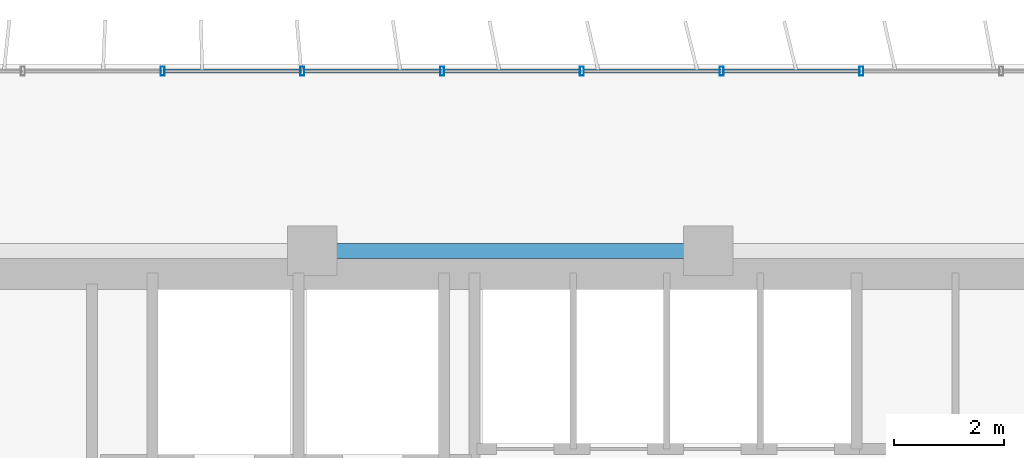
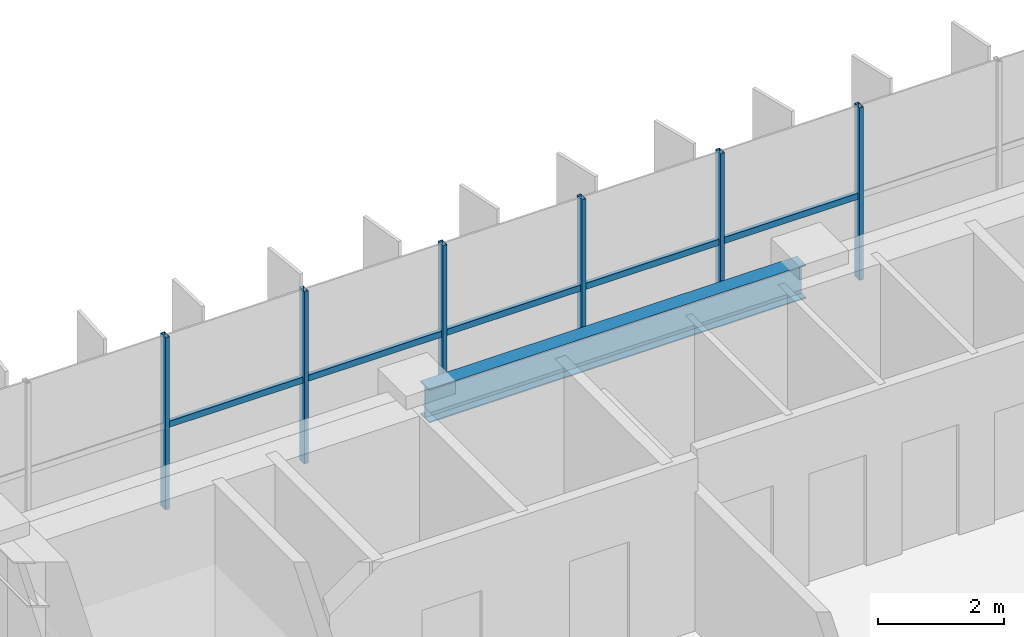
# One storey, part 7 of 23: 11 members, 1 beam, 1 element without a shape of its own.
"""IFC4 building model written with IfcOpenShell, lengths in metres."""

from ifc_helpers import new_model, si_unit, direction, frame, origin, origin_2d, place, context, subcontext, project, spatial, hollow_rectangle, i_section, extrude, source, transform, mapped, material, material_profile, profile_set, type_object, element, aggregate, save


model = new_model("IFC4")

# Units and contexts
model_context = context("Model", 3, precision=1e-05, world=origin(), true_north=direction((0.0, 1.0)))
body_context = subcontext(model_context, "Body", "Model", "MODEL_VIEW")
ifc_project = project(units=[si_unit("LENGTHUNIT", "METRE"), si_unit("AREAUNIT", "SQUARE_METRE"), si_unit("VOLUMEUNIT", "CUBIC_METRE"), si_unit("PLANEANGLEUNIT", "RADIAN"), si_unit("MASSUNIT", "GRAM", prefix="KILO")], contexts=[model_context])

# Site, building, storey
site_placement = place(None, origin())
site = spatial("IfcSite", under=ifc_project, at=site_placement, CompositionType="ELEMENT")
building_placement = place(site_placement, origin())
building = spatial("IfcBuilding", under=site, at=building_placement, Name="Trelvane Seafront Commons", CompositionType="ELEMENT")
storey_placement = place(building_placement, frame((0.0, 0.0, 63.10009765625)))
storey = spatial("IfcBuildingStorey", under=building, at=storey_placement, Name="L16", CompositionType="ELEMENT", Elevation=63.10009765625)

# Beam
ifc_material_1 = material(Name="Steel SM355 (S355)", Category="steel")
ifc_material_profile_1 = material_profile(ifc_material_1, i_section(OverallWidth=0.280029296875, OverallDepth=0.64990234375, WebThickness=0.012939453125, FlangeThickness=0.02197265625, at=origin_2d()), Name="H-650x280x13x22")
ifc_profile_set_1 = profile_set([ifc_material_profile_1], Name="Steel SM355 (S355)")
beam_type = type_object("IfcBeamType", Name="STR-BM-H650", PredefinedType="BEAM", material=ifc_profile_set_1)
shared_shape_1 = source(origin(), body_context, "Body", "SweptSolid", [
    extrude(i_section(OverallWidth=0.280029296875, OverallDepth=0.64990234375, WebThickness=0.012939453125, FlangeThickness=0.02197265625, at=origin_2d()), origin(), (0.0, 0.0, 1.0), 6.89990234375),
])
beam_placement = place(storey_placement, frame((23.550048828125, 45.10009765625, 3.014892578125), z_axis=(1.0, 0.0, 0.0), x_axis=(0.0, 1.0, 0.0)))
element("IfcBeam", 1, at=beam_placement, inside=storey, type_object=beam_type, Name="L16 Primary Girder G-31", PredefinedType="BEAM", context=body_context, shape_type="MappedRepresentation", body=[
    mapped(shared_shape_1, transform((0.0, 0.0, 0.0), x_axis=(1.0, 0.0, 0.0), y_axis=(0.0, 1.0, 0.0), z_axis=(0.0, 0.0, 1.0), scale=1.0)),
])

# Curtain wall, members
ifc_material_2 = material(Name="Anodised pale-silver aluminium", Category="aluminium")
curtain_wall_type = type_object("IfcCurtainWallType", Name="ARCH-CW2-LOWTOWER", PredefinedType="NOTDEFINED", material=ifc_material_2)
curtain_wall_placement = place(storey_placement, origin())
curtain_wall = element("IfcCurtainWall", 2, at=curtain_wall_placement, inside=storey, type_object=curtain_wall_type, Name="CW-L16-0040", PredefinedType="NOTDEFINED")
ifc_material_profile_2 = material_profile(ifc_material_2, hollow_rectangle(XDim=0.070068359375, YDim=0.1201171875, WallThickness=0.00390625, at=origin_2d()), Name="TRAN-70x120x4")
ifc_profile_set_2 = profile_set([ifc_material_profile_2], Name="Anodised pale-silver aluminium")
member_type_1 = type_object("IfcMemberType", Name="ARCH-CW-TRAN-120", PredefinedType="USERDEFINED", material=ifc_profile_set_2)
shared_shape_2 = source(origin(), body_context, "Body", "SweptSolid", [
    extrude(hollow_rectangle(XDim=0.070068359375, YDim=0.1201171875, WallThickness=0.00390625, at=origin_2d()), origin(), (0.0, 0.0, 1.0), 2.51708984375),
])
member_1_placement = place(storey_placement, frame((20.6943359375, 48.3701171875, 1.602783203125), z_axis=(1.0, 0.0, 0.0), x_axis=(0.0, 1.0, 0.0)))
member_1 = element("IfcMember", 3, at=member_1_placement, type_object=member_type_1, Name="CW-L16-0040-T02", ObjectType="TRANSOM", PredefinedType="USERDEFINED", context=body_context, shape_type="MappedRepresentation", body=[
    mapped(shared_shape_2, transform((0.0, 0.0, 0.0), x_axis=(1.0, 0.0, 0.0), y_axis=(0.0, 1.0, 0.0), z_axis=(0.0, 0.0, 1.0), scale=1.0)),
])
member_2_placement = place(storey_placement, frame((23.235595703125, 48.3701171875, 1.602783203125), z_axis=(1.0, 0.0, 0.0), x_axis=(0.0, 1.0, 0.0)))
member_2 = element("IfcMember", 4, at=member_2_placement, type_object=member_type_1, Name="CW-L16-0040-T03", ObjectType="TRANSOM", PredefinedType="USERDEFINED", context=body_context, shape_type="MappedRepresentation", body=[
    mapped(shared_shape_2, transform((0.0, 0.0, 0.0), x_axis=(1.0, 0.0, 0.0), y_axis=(0.0, 1.0, 0.0), z_axis=(0.0, 0.0, 1.0), scale=1.0)),
])
member_3_placement = place(storey_placement, frame((30.859130859375, 48.3701171875, 1.602783203125), z_axis=(1.0, 0.0, 0.0), x_axis=(0.0, 1.0, 0.0)))
member_3 = element("IfcMember", 5, at=member_3_placement, type_object=member_type_1, Name="CW-L16-0040-T06", ObjectType="TRANSOM", PredefinedType="USERDEFINED", context=body_context, shape_type="MappedRepresentation", body=[
    mapped(shared_shape_2, transform((0.0, 0.0, 0.0), x_axis=(1.0, 0.0, 0.0), y_axis=(0.0, 1.0, 0.0), z_axis=(0.0, 0.0, 1.0), scale=1.0)),
])
shared_shape_3 = source(origin(), body_context, "Body", "SweptSolid", [
    extrude(hollow_rectangle(XDim=0.070068359375, YDim=0.1201171875, WallThickness=0.00390625, at=origin_2d()), origin(), (0.0, 0.0, 1.0), 2.517333984375),
])
member_4_placement = place(storey_placement, frame((25.776611328125, 48.3701171875, 1.602783203125), z_axis=(1.0, 0.0, 0.0), x_axis=(0.0, 1.0, 0.0)))
member_4 = element("IfcMember", 6, at=member_4_placement, type_object=member_type_1, Name="CW-L16-0040-T04", ObjectType="TRANSOM", PredefinedType="USERDEFINED", context=body_context, shape_type="MappedRepresentation", body=[
    mapped(shared_shape_3, transform((0.0, 0.0, 0.0), x_axis=(1.0, 0.0, 0.0), y_axis=(0.0, 1.0, 0.0), z_axis=(0.0, 0.0, 1.0), scale=1.0)),
])
member_5_placement = place(storey_placement, frame((28.31787109375, 48.3701171875, 1.602783203125), z_axis=(1.0, 0.0, 0.0), x_axis=(0.0, 1.0, 0.0)))
member_5 = element("IfcMember", 7, at=member_5_placement, type_object=member_type_1, Name="CW-L16-0040-T05", ObjectType="TRANSOM", PredefinedType="USERDEFINED", context=body_context, shape_type="MappedRepresentation", body=[
    mapped(shared_shape_3, transform((0.0, 0.0, 0.0), x_axis=(1.0, 0.0, 0.0), y_axis=(0.0, 1.0, 0.0), z_axis=(0.0, 0.0, 1.0), scale=1.0)),
])
ifc_material_profile_3 = material_profile(ifc_material_2, hollow_rectangle(XDim=0.074951171875, YDim=0.159912109375, WallThickness=0.00390625, at=origin_2d()), Name="MULL-75x160x4")
ifc_profile_set_3 = profile_set([ifc_material_profile_3], Name="Anodised pale-silver aluminium")
member_type_2 = type_object("IfcMemberType", Name="ARCH-CW-MULL-160", PredefinedType="MULLION", material=ifc_profile_set_3)
shared_shape_4 = source(origin(), body_context, "Body", "SweptSolid", [
    extrude(hollow_rectangle(XDim=0.074951171875, YDim=0.159912109375, WallThickness=0.00390625, at=origin_2d()), origin(), (0.0, 0.0, 1.0), 3.33984375),
])
member_6_placement = place(storey_placement, frame((20.682373046875, 48.3701171875, 0.0), z_axis=(0.0, 0.0, 1.0), x_axis=(1.0, 0.0, 0.0)))
member_6 = element("IfcMember", 8, at=member_6_placement, type_object=member_type_2, Name="CW-L16-0040-M02", PredefinedType="MULLION", context=body_context, shape_type="MappedRepresentation", body=[
    mapped(shared_shape_4, transform((0.0, 0.0, 0.0), x_axis=(1.0, 0.0, 0.0), y_axis=(0.0, 1.0, 0.0), z_axis=(0.0, 0.0, 1.0), scale=1.0)),
])
member_7_placement = place(storey_placement, frame((23.223388671875, 48.3701171875, 0.0), z_axis=(0.0, 0.0, 1.0), x_axis=(1.0, 0.0, 0.0)))
member_7 = element("IfcMember", 9, at=member_7_placement, type_object=member_type_2, Name="CW-L16-0040-M03", PredefinedType="MULLION", context=body_context, shape_type="MappedRepresentation", body=[
    mapped(shared_shape_4, transform((0.0, 0.0, 0.0), x_axis=(1.0, 0.0, 0.0), y_axis=(0.0, 1.0, 0.0), z_axis=(0.0, 0.0, 1.0), scale=1.0)),
])
member_8_placement = place(storey_placement, frame((25.7646484375, 48.3701171875, 0.0), z_axis=(0.0, 0.0, 1.0), x_axis=(1.0, 0.0, 0.0)))
member_8 = element("IfcMember", 10, at=member_8_placement, type_object=member_type_2, Name="CW-L16-0040-M04", PredefinedType="MULLION", context=body_context, shape_type="MappedRepresentation", body=[
    mapped(shared_shape_4, transform((0.0, 0.0, 0.0), x_axis=(1.0, 0.0, 0.0), y_axis=(0.0, 1.0, 0.0), z_axis=(0.0, 0.0, 1.0), scale=1.0)),
])
member_9_placement = place(storey_placement, frame((28.305908203125, 48.3701171875, 0.0), z_axis=(0.0, 0.0, 1.0), x_axis=(1.0, 0.0, 0.0)))
member_9 = element("IfcMember", 11, at=member_9_placement, type_object=member_type_2, Name="CW-L16-0040-M05", PredefinedType="MULLION", context=body_context, shape_type="MappedRepresentation", body=[
    mapped(shared_shape_4, transform((0.0, 0.0, 0.0), x_axis=(1.0, 0.0, 0.0), y_axis=(0.0, 1.0, 0.0), z_axis=(0.0, 0.0, 1.0), scale=1.0)),
])
member_10_placement = place(storey_placement, frame((30.84716796875, 48.3701171875, 0.0), z_axis=(0.0, 0.0, 1.0), x_axis=(1.0, 0.0, 0.0)))
member_10 = element("IfcMember", 12, at=member_10_placement, type_object=member_type_2, Name="CW-L16-0040-M06", PredefinedType="MULLION", context=body_context, shape_type="MappedRepresentation", body=[
    mapped(shared_shape_4, transform((0.0, 0.0, 0.0), x_axis=(1.0, 0.0, 0.0), y_axis=(0.0, 1.0, 0.0), z_axis=(0.0, 0.0, 1.0), scale=1.0)),
])
member_11_placement = place(storey_placement, frame((33.38818359375, 48.3701171875, 0.0), z_axis=(0.0, 0.0, 1.0), x_axis=(1.0, 0.0, 0.0)))
member_11 = element("IfcMember", 13, at=member_11_placement, type_object=member_type_2, Name="CW-L16-0040-M07", PredefinedType="MULLION", context=body_context, shape_type="MappedRepresentation", body=[
    mapped(shared_shape_4, transform((0.0, 0.0, 0.0), x_axis=(1.0, 0.0, 0.0), y_axis=(0.0, 1.0, 0.0), z_axis=(0.0, 0.0, 1.0), scale=1.0)),
])
aggregate(curtain_wall, [member_6, member_7, member_8, member_9, member_10, member_11, member_1, member_2, member_4, member_5, member_3])

save(model, "model.ifc")
